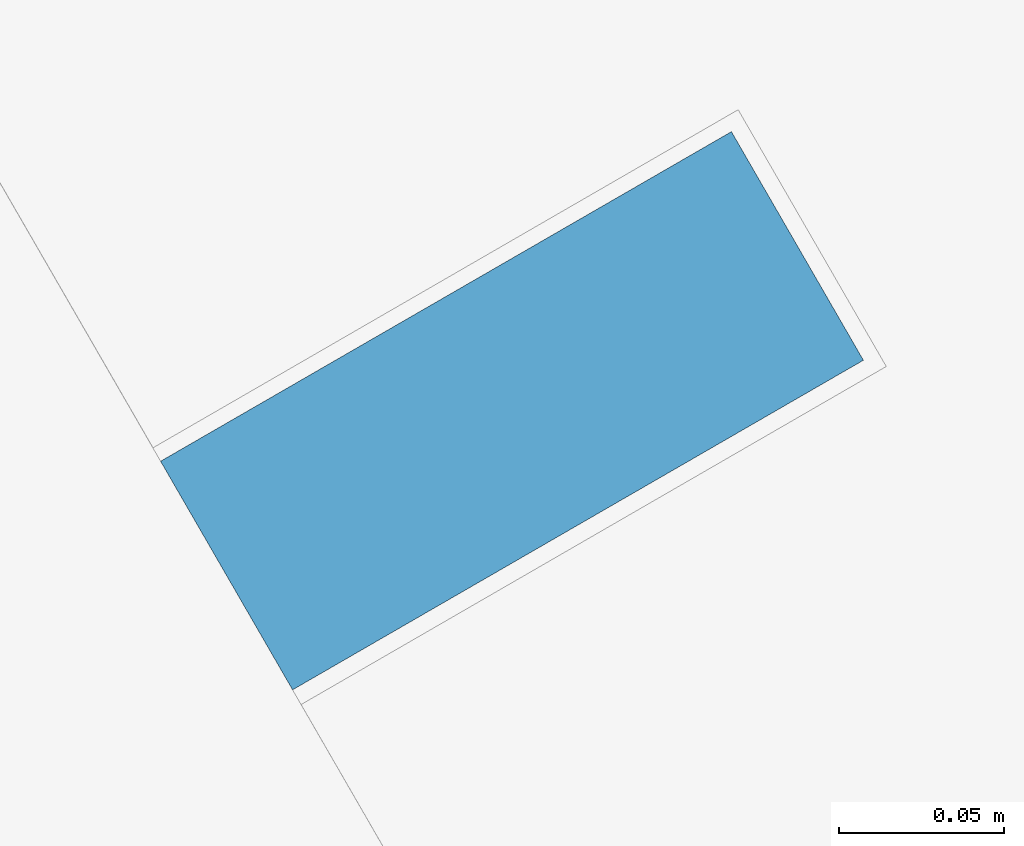
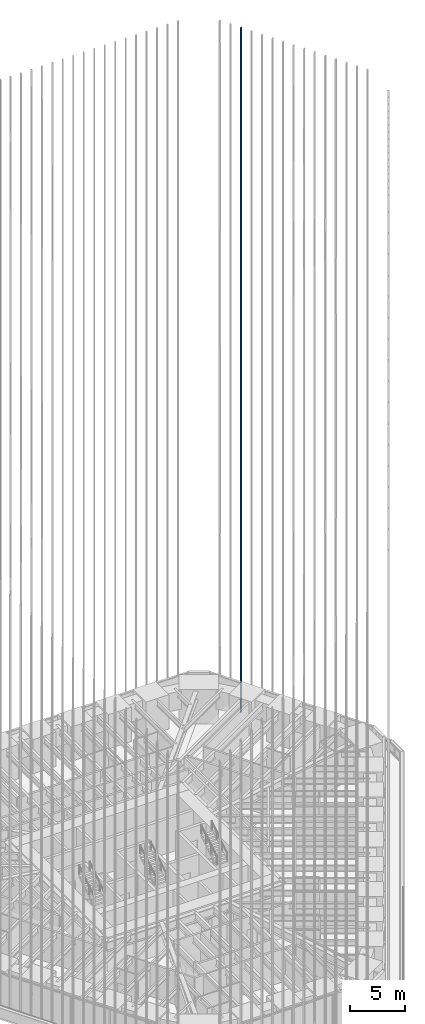
# One storey, part 225 of 238: 1 member, 1 element without a shape of its own.
"""IFC4 building model written with IfcOpenShell, lengths in metres."""

from ifc_helpers import new_model, si_unit, direction, frame, origin, origin_2d, place, context, subcontext, project, spatial, rectangle, extrude, material, material_profile, profile_set, type_object, element, aggregate, save


model = new_model("IFC4")

# Units and contexts
model_context = context("Model", 3, precision=1e-05, world=origin(), true_north=direction((0.0, 1.0)))
body_context = subcontext(model_context, "Body", "Model", "MODEL_VIEW")
ifc_project = project(units=[si_unit("LENGTHUNIT", "METRE"), si_unit("AREAUNIT", "SQUARE_METRE"), si_unit("VOLUMEUNIT", "CUBIC_METRE"), si_unit("PLANEANGLEUNIT", "RADIAN"), si_unit("MASSUNIT", "GRAM", prefix="KILO")], contexts=[model_context])

# Site, building, storey
site_placement = place(None, origin())
site = spatial("IfcSite", under=ifc_project, at=site_placement, CompositionType="ELEMENT")
building_placement = place(site_placement, origin())
building = spatial("IfcBuilding", under=site, at=building_placement, Name="Sandreach Pilgrim Tower", CompositionType="ELEMENT")
storey_placement = place(building_placement, frame((0.0, 0.0, 96.800048828125)))
storey = spatial("IfcBuildingStorey", under=building, at=storey_placement, Name="L23", CompositionType="ELEMENT", Elevation=96.800048828125)

# Curtain wall, member
ifc_material_1 = material(Name="Aluminium framed curtain wall", Category="aluminium")
curtain_wall_type = type_object("IfcCurtainWallType", Name="Hotel tower curtain wall", PredefinedType="NOTDEFINED", material=ifc_material_1)
curtain_wall_placement = place(storey_placement, origin())
curtain_wall = element("IfcCurtainWall", 1, at=curtain_wall_placement, inside=storey, type_object=curtain_wall_type, Name="CW-2 L23 NE", PredefinedType="NOTDEFINED")
ifc_material_2 = material(Name="Extruded terracotta on aluminium core", Category="masonry")
ifc_material_profile = material_profile(ifc_material_2, rectangle(XDim=0.080078125, YDim=0.199951171875, at=origin_2d()), Name="TBE 80X200")
ifc_profile_set = profile_set([ifc_material_profile], Name="Extruded terracotta on aluminium core")
member_type = type_object("IfcMemberType", Name="Terracotta baguette east", PredefinedType="USERDEFINED", material=ifc_profile_set)
member_placement = place(storey_placement, frame((21.998291015625, 19.082275390625, 0.0), z_axis=(0.0, 0.0, 1.0), x_axis=(0.5, -0.866025403784, 0.0)))
member = element("IfcMember", 2, at=member_placement, type_object=member_type, Name="Baguette Z2 NE03", ObjectType="BAGUETTE", PredefinedType="USERDEFINED", context=body_context, shape_type="SweptSolid", body=[
    extrude(rectangle(XDim=0.080078125, YDim=0.199951171875, at=origin_2d()), origin(), (0.0, 0.0, 1.0), 75.83984375),
])
aggregate(curtain_wall, [member])

save(model, "model.ifc")
